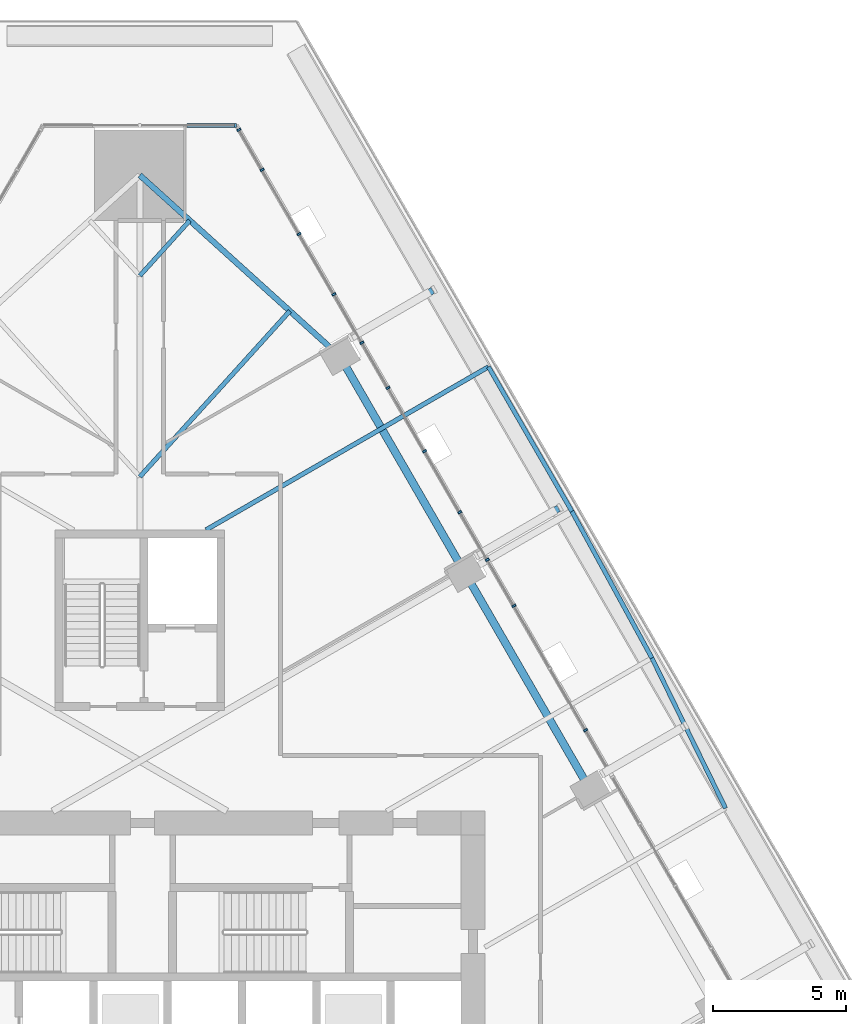
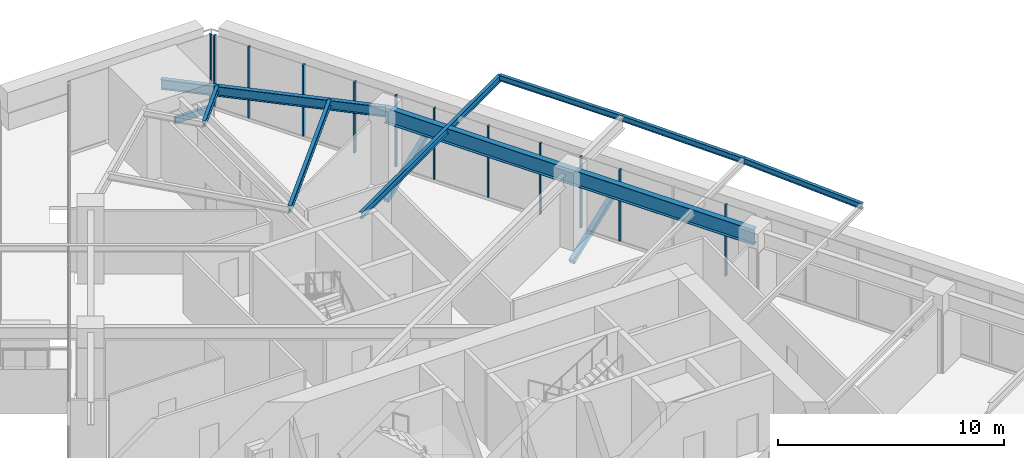
# One storey, part 11 of 29: 15 members, 8 beams, 2 elements without a shape of their own.
"""IFC4 building model written with IfcOpenShell, lengths in metres."""

from ifc_helpers import new_model, si_unit, direction, frame, origin, origin_2d, place, context, subcontext, project, spatial, rectangle, hollow_rectangle, i_section, extrude, material, layer, layer_set, material_profile, profile_set, type_object, element, aggregate, save


model = new_model("IFC4")

# Units and contexts
model_context = context("Model", 3, precision=1e-05, world=origin(), true_north=direction((0.0, 1.0)))
body_context = subcontext(model_context, "Body", "Model", "MODEL_VIEW")
ifc_project = project(units=[si_unit("LENGTHUNIT", "METRE"), si_unit("AREAUNIT", "SQUARE_METRE"), si_unit("VOLUMEUNIT", "CUBIC_METRE"), si_unit("PLANEANGLEUNIT", "RADIAN"), si_unit("MASSUNIT", "GRAM", prefix="KILO")], contexts=[model_context])

# Site, building, storey
site_placement = place(None, origin())
site = spatial("IfcSite", under=ifc_project, at=site_placement, CompositionType="ELEMENT")
building_placement = place(site_placement, origin())
building = spatial("IfcBuilding", under=site, at=building_placement, Name="Firuza Gate Tower and Library", CompositionType="ELEMENT")
storey_placement = place(building_placement, frame((0.0, 0.0, 82.0)))
storey = spatial("IfcBuildingStorey", under=building, at=storey_placement, Name="L18", CompositionType="ELEMENT", Elevation=82.0)

# Curtain wall, members
ifc_material_1 = material(Name="Aluminium 6063-T6", Category="aluminium")
ifc_layer_1 = layer(ifc_material_1, 0.14990234375)
ifc_layer_set_1 = layer_set([ifc_layer_1], Name="Unitised curtain wall, offices")
curtain_wall_type_1 = type_object("IfcCurtainWallType", Name="Unitised curtain wall, offices", PredefinedType="NOTDEFINED", material=ifc_layer_set_1)
placement = place(storey_placement, origin())
curtain_wall_1 = element("IfcCurtainWall", 1, at=placement, inside=storey, type_object=curtain_wall_type_1, Name="CW1 L18 E face", PredefinedType="NOTDEFINED")
ifc_material_2 = material(Name="Aluminium 6063-T6", Category="aluminium")
ifc_material_profile_1 = material_profile(ifc_material_2, rectangle(XDim=0.14990234375, YDim=0.080078125, at=origin_2d()))
ifc_profile_set_1 = profile_set([ifc_material_profile_1], Name="Aluminium 6063-T6")
member_type_1 = type_object("IfcMemberType", Name="Curtain wall mullion 80x150", PredefinedType="MULLION", material=ifc_profile_set_1)
member_1_placement = place(storey_placement, frame((88.093994140625, 93.472412109375, 0.14990234375), z_axis=(0.0, 0.0, 1.0), x_axis=(-0.866025403784, -0.5, 0.0)))
member_1 = element("IfcMember", 2, at=member_1_placement, type_object=member_type_1, Name="Mullion", PredefinedType="MULLION", context=body_context, shape_type="SweptSolid", body=[
    extrude(rectangle(XDim=0.14990234375, YDim=0.080078125, at=origin_2d()), origin(), (0.0, 0.0, 1.0), 3.85009765625),
])
member_2_placement = place(storey_placement, frame((85.731201171875, 97.564453125, 0.14990234375), z_axis=(0.0, 0.0, 1.0), x_axis=(-0.866025403784, -0.5, 0.0)))
member_2 = element("IfcMember", 3, at=member_2_placement, type_object=member_type_1, Name="Mullion", PredefinedType="MULLION", context=body_context, shape_type="SweptSolid", body=[
    extrude(rectangle(XDim=0.14990234375, YDim=0.080078125, at=origin_2d()), origin(), (0.0, 0.0, 1.0), 3.85009765625),
])
member_3_placement = place(storey_placement, frame((83.36865234375, 101.65673828125, 0.14990234375), z_axis=(0.0, 0.0, 1.0), x_axis=(-0.866025403784, -0.5, 0.0)))
member_3 = element("IfcMember", 4, at=member_3_placement, type_object=member_type_1, Name="Mullion", PredefinedType="MULLION", context=body_context, shape_type="SweptSolid", body=[
    extrude(rectangle(XDim=0.14990234375, YDim=0.080078125, at=origin_2d()), origin(), (0.0, 0.0, 1.0), 3.85009765625),
])
member_4_placement = place(storey_placement, frame((81.005859375, 105.7490234375, 0.14990234375), z_axis=(0.0, 0.0, 1.0), x_axis=(-0.866025403784, -0.5, 0.0)))
member_4 = element("IfcMember", 5, at=member_4_placement, type_object=member_type_1, Name="Mullion", PredefinedType="MULLION", context=body_context, shape_type="SweptSolid", body=[
    extrude(rectangle(XDim=0.14990234375, YDim=0.080078125, at=origin_2d()), origin(), (0.0, 0.0, 1.0), 3.85009765625),
])
member_5_placement = place(storey_placement, frame((91.800537109375, 87.05224609375, 0.14990234375), z_axis=(0.0, 0.0, 1.0), x_axis=(-0.866025403784, -0.5, 0.0)))
member_5 = element("IfcMember", 6, at=member_5_placement, type_object=member_type_1, Name="Mullion", PredefinedType="MULLION", context=body_context, shape_type="SweptSolid", body=[
    extrude(rectangle(XDim=0.14990234375, YDim=0.080078125, at=origin_2d()), origin(), (0.0, 0.0, 1.0), 3.85009765625),
])
member_6_placement = place(storey_placement, frame((89.09521484375, 91.738037109375, 0.14990234375), z_axis=(0.0, 0.0, 1.0), x_axis=(-0.866025403784, -0.5, 0.0)))
member_6 = element("IfcMember", 7, at=member_6_placement, type_object=member_type_1, Name="Mullion", PredefinedType="MULLION", context=body_context, shape_type="SweptSolid", body=[
    extrude(rectangle(XDim=0.14990234375, YDim=0.080078125, at=origin_2d()), origin(), (0.0, 0.0, 1.0), 3.85009765625),
])
member_7_placement = place(storey_placement, frame((87.057861328125, 95.266845703125, 0.14990234375), z_axis=(0.0, 0.0, 1.0), x_axis=(-0.866025403784, -0.5, 0.0)))
member_7 = element("IfcMember", 8, at=member_7_placement, type_object=member_type_1, Name="Mullion", PredefinedType="MULLION", context=body_context, shape_type="SweptSolid", body=[
    extrude(rectangle(XDim=0.14990234375, YDim=0.080078125, at=origin_2d()), origin(), (0.0, 0.0, 1.0), 3.85009765625),
])
member_8_placement = place(storey_placement, frame((84.3525390625, 99.95263671875, 0.14990234375), z_axis=(0.0, 0.0, 1.0), x_axis=(-0.866025403784, -0.5, 0.0)))
member_8 = element("IfcMember", 9, at=member_8_placement, type_object=member_type_1, Name="Mullion", PredefinedType="MULLION", context=body_context, shape_type="SweptSolid", body=[
    extrude(rectangle(XDim=0.14990234375, YDim=0.080078125, at=origin_2d()), origin(), (0.0, 0.0, 1.0), 3.85009765625),
])
member_9_placement = place(storey_placement, frame((82.315185546875, 103.481201171875, 0.14990234375), z_axis=(0.0, 0.0, 1.0), x_axis=(-0.866025403784, -0.5, 0.0)))
member_9 = element("IfcMember", 10, at=member_9_placement, type_object=member_type_1, Name="Mullion", PredefinedType="MULLION", context=body_context, shape_type="SweptSolid", body=[
    extrude(rectangle(XDim=0.14990234375, YDim=0.080078125, at=origin_2d()), origin(), (0.0, 0.0, 1.0), 3.85009765625),
])
member_10_placement = place(storey_placement, frame((79.60986328125, 108.1669921875, 0.14990234375), z_axis=(0.0, 0.0, 1.0), x_axis=(-0.866025403784, -0.5, 0.0)))
member_10 = element("IfcMember", 11, at=member_10_placement, type_object=member_type_1, Name="Mullion", PredefinedType="MULLION", context=body_context, shape_type="SweptSolid", body=[
    extrude(rectangle(XDim=0.14990234375, YDim=0.080078125, at=origin_2d()), origin(), (0.0, 0.0, 1.0), 3.85009765625),
])
member_11_placement = place(storey_placement, frame((78.735107421875, 109.68212890625, 0.14990234375), z_axis=(0.0, 0.0, 1.0), x_axis=(-0.866025403784, -0.5, 0.0)))
member_11 = element("IfcMember", 12, at=member_11_placement, type_object=member_type_1, Name="Mullion", PredefinedType="MULLION", context=body_context, shape_type="SweptSolid", body=[
    extrude(rectangle(XDim=0.14990234375, YDim=0.080078125, at=origin_2d()), origin(), (0.0, 0.0, 1.0), 3.85009765625),
])
aggregate(curtain_wall_1, [member_1, member_2, member_3, member_4, member_5, member_6, member_7, member_8, member_9, member_10, member_11])

ifc_material_3 = material(Name="Aluminium 6063-T6", Category="aluminium")
ifc_layer_2 = layer(ifc_material_3, 0.14990234375)
ifc_layer_set_2 = layer_set([ifc_layer_2], Name="Corner curtain wall, chamfers")
curtain_wall_type_2 = type_object("IfcCurtainWallType", Name="Corner curtain wall, chamfers", PredefinedType="NOTDEFINED", material=ifc_layer_set_2)
curtain_wall_2 = element("IfcCurtainWall", 13, at=placement, inside=storey, type_object=curtain_wall_type_2, Name="CW4 L18 N corner", PredefinedType="NOTDEFINED")
member_12_placement = place(storey_placement, frame((78.603271484375, 109.84130859375, 0.14990234375), z_axis=(0.0, 0.0, 1.0), x_axis=(0.0, -1.0, 0.0)))
member_12 = element("IfcMember", 14, at=member_12_placement, type_object=member_type_1, Name="Mullion", PredefinedType="MULLION", context=body_context, shape_type="SweptSolid", body=[
    extrude(rectangle(XDim=0.14990234375, YDim=0.080078125, at=origin_2d()), origin(), (0.0, 0.0, 1.0), 3.85009765625),
])
ifc_material_4 = material(Name="Aluminium 6063-T6", Category="aluminium")
ifc_material_profile_2 = material_profile(ifc_material_4, rectangle(XDim=0.14990234375, YDim=0.35009765625, at=origin_2d()))
ifc_profile_set_2 = profile_set([ifc_material_profile_2], Name="Aluminium 6063-T6")
member_type_2 = type_object("IfcMemberType", Name="Curtain wall transom 350x150", PredefinedType="USERDEFINED", material=ifc_profile_set_2)
member_13_placement = place(storey_placement, frame((78.643310546875, 109.84130859375, -0.02490234375), z_axis=(-1.0, 0.0, 0.0), x_axis=(0.0, -1.0, 0.0)))
member_13 = element("IfcMember", 15, at=member_13_placement, type_object=member_type_2, Name="Transom", ObjectType="TRANSOM", PredefinedType="USERDEFINED", context=body_context, shape_type="SweptSolid", body=[
    extrude(rectangle(XDim=0.14990234375, YDim=0.35009765625, at=origin_2d()), origin(), (0.0, 0.0, 1.0), 1.863525390625),
])
aggregate(curtain_wall_2, [member_12, member_13])

# Members
ifc_material_5 = material(Name="Steel S355", Category="steel")
ifc_material_profile_3 = material_profile(ifc_material_5, hollow_rectangle(XDim=0.25390625, YDim=0.25390625, WallThickness=0.01171875, at=origin_2d()))
ifc_profile_set_3 = profile_set([ifc_material_profile_3], Name="Steel S355")
member_type_3 = type_object("IfcMemberType", Name="HSS254x254x13 Tray strut", PredefinedType="BRACE", material=ifc_profile_set_3)
for number, where, z_axis, x_axis, name in (
    (16, (87.705810546875, 93.634765625, -1.669921875), (0.807140949077, 0.466018027999, 0.362423351763), (-0.500012057535, 0.866018442252, 0.0), "Tray strut L18 col:L17:E4"),
    (17, (82.963134765625, 101.849365234375, -1.669921875), (0.807140949077, 0.466018027999, 0.362423351763), (-0.500012057535, 0.866018442252, 0.0), "Tray strut L18 col:L17:E5"),
):
    element("IfcMember", number, at=place(storey_placement, frame(where, z_axis=z_axis, x_axis=x_axis)), inside=storey, type_object=member_type_3, Name=name, PredefinedType="BRACE", context=body_context, shape_type="SweptSolid", body=[
        extrude(hollow_rectangle(XDim=0.25390625, YDim=0.25390625, WallThickness=0.01171875, at=origin_2d()), origin(), (0.0, 0.0, 1.0), 3.862548828125),
    ])

# Beams
ifc_material_6 = material(Name="Steel S355", Category="steel")
ifc_material_profile_4 = material_profile(ifc_material_6, i_section(OverallWidth=0.1650390625, OverallDepth=0.31005859375, WebThickness=0.005859375, FlangeThickness=0.009765625, at=origin_2d()))
ifc_profile_set_4 = profile_set([ifc_material_profile_4], Name="Steel S355")
beam_type_1 = type_object("IfcBeamType", Name="W310x39 Floor beam", PredefinedType="JOIST", material=ifc_profile_set_4)
beam_1_placement = place(storey_placement, frame((76.884765625, 106.2607421875, 3.844970703125), z_axis=(-0.670983871645, -0.741471944171, 0.0), x_axis=(0.741471944171, -0.670983871645, 0.0)))
element("IfcBeam", 18, at=beam_1_placement, inside=storey, type_object=beam_type_1, Name="Floor beam L18 s61", PredefinedType="JOIST", context=body_context, shape_type="SweptSolid", body=[
    extrude(i_section(OverallWidth=0.1650390625, OverallDepth=0.31005859375, WebThickness=0.005859375, FlangeThickness=0.009765625, at=origin_2d()), origin(), (0.0, 0.0, 1.0), 2.808837890625),
])
beam_2_placement = place(storey_placement, frame((97.072509765625, 84.111572265625, 3.844970703125), z_axis=(-0.439935002464, 0.898029617333, 0.0), x_axis=(-0.898029617333, -0.439935002464, 0.0)))
element("IfcBeam", 19, at=beam_2_placement, inside=storey, type_object=beam_type_1, Name="Tray edge beam L18 s52-s53", PredefinedType="JOIST", context=body_context, shape_type="SweptSolid", body=[
    extrude(i_section(OverallWidth=0.1650390625, OverallDepth=0.31005859375, WebThickness=0.005859375, FlangeThickness=0.009765625, at=origin_2d()), origin(), (0.0, 0.0, 1.0), 6.305419921875),
])
beam_3_placement = place(storey_placement, frame((94.298583984375, 89.77392578125, 3.844970703125), z_axis=(-0.479110348112, 0.877754677762, 0.0), x_axis=(-0.877754677762, -0.479110348112, 0.0)))
element("IfcBeam", 20, at=beam_3_placement, inside=storey, type_object=beam_type_1, Name="Tray edge beam L18 s53-s54", PredefinedType="JOIST", context=body_context, shape_type="SweptSolid", body=[
    extrude(i_section(OverallWidth=0.1650390625, OverallDepth=0.31005859375, WebThickness=0.005859375, FlangeThickness=0.009765625, at=origin_2d()), origin(), (0.0, 0.0, 1.0), 6.292724609375),
])
beam_4_placement = place(storey_placement, frame((91.28369140625, 95.29736328125, 3.844970703125), z_axis=(-0.49998337224, 0.866035003613, 0.0), x_axis=(-0.866035003613, -0.49998337224, 0.0)))
element("IfcBeam", 21, at=beam_4_placement, inside=storey, type_object=beam_type_1, Name="Tray edge beam L18 s54-s55", PredefinedType="JOIST", context=body_context, shape_type="SweptSolid", body=[
    extrude(i_section(OverallWidth=0.1650390625, OverallDepth=0.31005859375, WebThickness=0.005859375, FlangeThickness=0.009765625, at=origin_2d()), origin(), (0.0, 0.0, 1.0), 6.290771484375),
])
ifc_material_7 = material(Name="Steel S355", Category="steel")
ifc_material_profile_5 = material_profile(ifc_material_7, i_section(OverallWidth=0.1708984375, OverallDepth=0.35498046875, WebThickness=0.007080078125, FlangeThickness=0.01171875, at=origin_2d()))
ifc_profile_set_5 = profile_set([ifc_material_profile_5], Name="Steel S355")
beam_type_2 = type_object("IfcBeamType", Name="W360x51 Floor beam", PredefinedType="JOIST", material=ifc_profile_set_5)
beam_5_placement = place(storey_placement, frame((88.138427734375, 100.745361328125, 3.822509765625), z_axis=(-0.866028130707, -0.499995276802, 0.0), x_axis=(0.499995276802, -0.866028130707, 0.0)))
element("IfcBeam", 22, at=beam_5_placement, inside=storey, type_object=beam_type_2, Name="Floor beam L18 s55", PredefinedType="JOIST", context=body_context, shape_type="SweptSolid", body=[
    extrude(i_section(OverallWidth=0.1708984375, OverallDepth=0.35498046875, WebThickness=0.007080078125, FlangeThickness=0.01171875, at=origin_2d()), origin(), (0.0, 0.0, 1.0), 12.29052734375),
])
beam_6_placement = place(storey_placement, frame((80.654052734375, 102.849853515625, 3.822509765625), z_axis=(-0.670982357379, -0.74147331448, 0.0), x_axis=(0.74147331448, -0.670982357379, 0.0)))
element("IfcBeam", 23, at=beam_6_placement, inside=storey, type_object=beam_type_2, Name="Floor beam L18 s60", PredefinedType="JOIST", context=body_context, shape_type="SweptSolid", body=[
    extrude(i_section(OverallWidth=0.1708984375, OverallDepth=0.35498046875, WebThickness=0.007080078125, FlangeThickness=0.01171875, at=origin_2d()), origin(), (0.0, 0.0, 1.0), 8.426513671875),
])
ifc_material_8 = material(Name="Steel S355", Category="steel")
ifc_material_profile_6 = material_profile(ifc_material_8, i_section(OverallWidth=0.212890625, OverallDepth=0.5390625, WebThickness=0.01171875, FlangeThickness=0.018798828125, at=origin_2d()))
ifc_profile_set_6 = profile_set([ifc_material_profile_6], Name="Steel S355")
beam_type_3 = type_object("IfcBeamType", Name="W530x109 Edge beam", PredefinedType="SPANDREL", material=ifc_profile_set_6)
beam_7_placement = place(storey_placement, frame((82.53857421875, 101.144287109375, 3.73046875), z_axis=(-0.741466940551, 0.670989400862, 0.0), x_axis=(-0.670989400862, -0.741466940551, 0.0)))
element("IfcBeam", 24, at=beam_7_placement, inside=storey, type_object=beam_type_3, Name="Edge beam L18 e60", PredefinedType="SPANDREL", context=body_context, shape_type="SweptSolid", body=[
    extrude(i_section(OverallWidth=0.212890625, OverallDepth=0.5390625, WebThickness=0.01171875, FlangeThickness=0.018798828125, at=origin_2d()), origin(), (0.0, 0.0, 1.0), 10.1669921875),
])
ifc_material_9 = material(Name="Steel S355", Category="steel")
ifc_material_profile_7 = material_profile(ifc_material_9, i_section(OverallWidth=0.2919921875, OverallDepth=0.8349609375, WebThickness=0.013916015625, FlangeThickness=0.018798828125, at=origin_2d()))
ifc_profile_set_7 = profile_set([ifc_material_profile_7], Name="Steel S355")
beam_type_4 = type_object("IfcBeamType", Name="W840x176 Edge beam", PredefinedType="SPANDREL", material=ifc_profile_set_7)
beam_8_placement = place(storey_placement, frame((91.974853515625, 84.80029296875, 3.58251953125), z_axis=(-0.500002777067, 0.866023800438, 0.0), x_axis=(-0.866023800438, -0.500002777067, 0.0)))
element("IfcBeam", 25, at=beam_8_placement, inside=storey, type_object=beam_type_4, Name="Edge beam L18 e52", PredefinedType="SPANDREL", context=body_context, shape_type="SweptSolid", body=[
    extrude(i_section(OverallWidth=0.2919921875, OverallDepth=0.8349609375, WebThickness=0.013916015625, FlangeThickness=0.018798828125, at=origin_2d()), origin(), (0.0, 0.0, 1.0), 18.87255859375),
])

save(model, "model.ifc")
